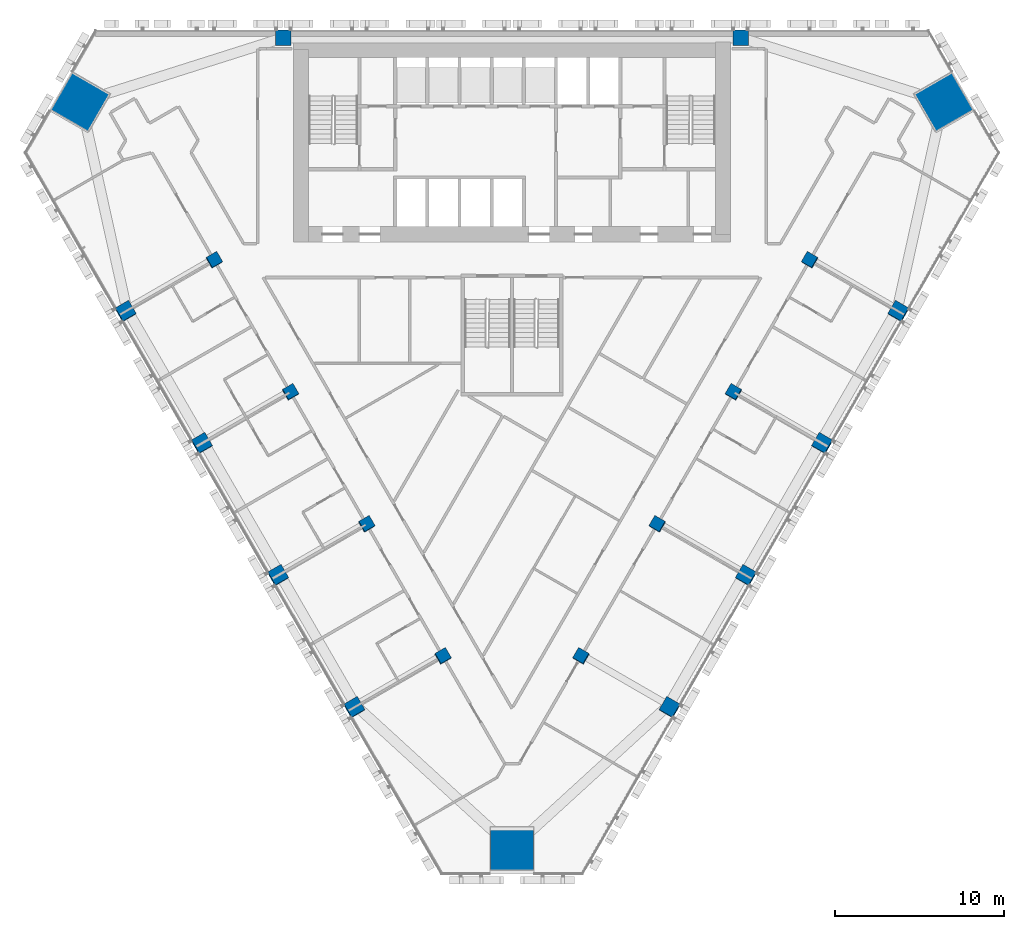
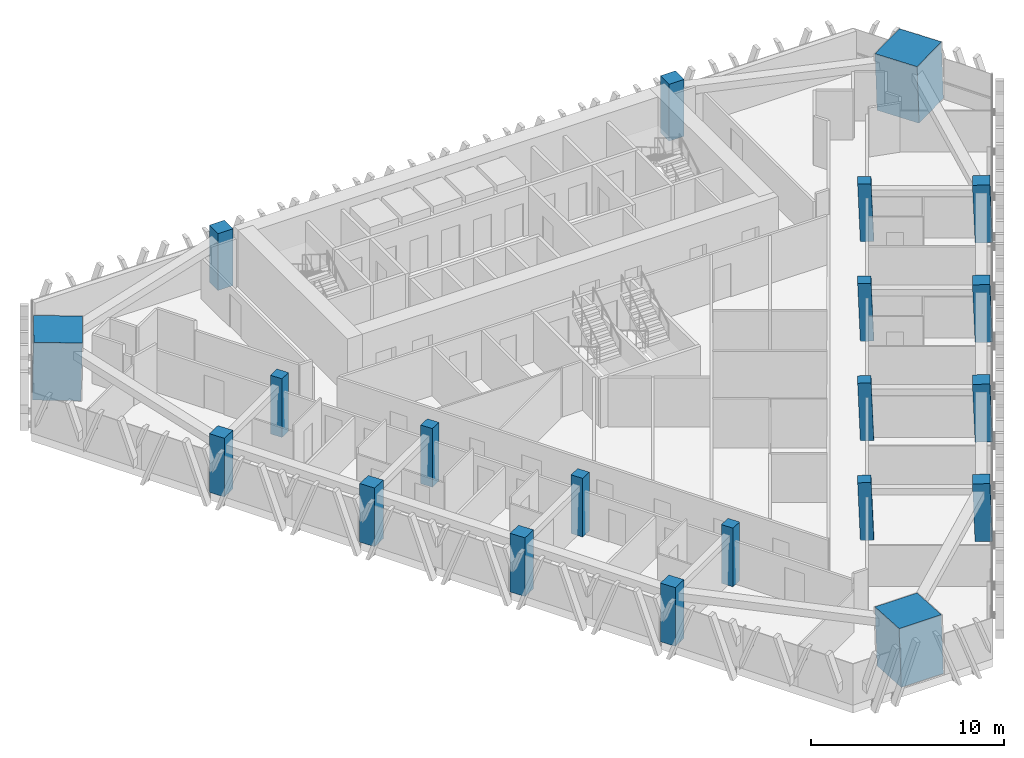
# One storey, part 1 of 16: 21 columns.
"""IFC4 building model written with IfcOpenShell, lengths in metres."""

from ifc_helpers import new_model, si_unit, direction, frame, origin, origin_2d, place, context, subcontext, project, spatial, rectangle, extrude, material, material_profile, profile_set, type_object, element, save


model = new_model("IFC4")

# Units and contexts
model_context = context("Model", 3, precision=1e-05, world=origin(), true_north=direction((0.0, 1.0)))
body_context = subcontext(model_context, "Body", "Model", "MODEL_VIEW")
ifc_project = project(units=[si_unit("LENGTHUNIT", "METRE"), si_unit("AREAUNIT", "SQUARE_METRE"), si_unit("VOLUMEUNIT", "CUBIC_METRE"), si_unit("PLANEANGLEUNIT", "RADIAN"), si_unit("MASSUNIT", "GRAM", prefix="KILO")], contexts=[model_context])

# Site, building, storey
site_placement = place(None, origin())
site = spatial("IfcSite", under=ifc_project, at=site_placement, CompositionType="ELEMENT")
building_placement = place(site_placement, origin())
building = spatial("IfcBuilding", under=site, at=building_placement, Name="Altiplano Prism Tower", CompositionType="ELEMENT")
storey_placement = place(building_placement, frame((0.0, 0.0, 104.39990234375)))
storey = spatial("IfcBuildingStorey", under=building, at=storey_placement, Name="L26", CompositionType="ELEMENT", Elevation=104.39990234375)

# Columns
ifc_material_1 = material(Name="Concrete C60/75", Category="concrete")
ifc_material_profile_1 = material_profile(ifc_material_1, rectangle(XDim=0.699951171875, YDim=0.699951171875, at=origin_2d()), Name="Inner column 700")
ifc_profile_set_1 = profile_set([ifc_material_profile_1], Name="Concrete C60/75")
column_type_1 = type_object("IfcColumnType", Name="Inner column 700", PredefinedType="COLUMN", material=ifc_profile_set_1)
for number, where, z_axis, x_axis, name in (
    (1, (67.411865234375, 91.419189453125, -0.021240234375), (0.02222134892, 0.038480872521, 0.999012229206), (-0.865639418776, -0.499186807044, 0.038482831667), "Inner column I11 L26"),
    (2, (71.911865234375, 83.625, -0.021240234375), (0.02222134892, 0.038480872521, 0.999012229206), (-0.865636721289, -0.499191475489, 0.038482951489), "Inner column I12 L26"),
    (3, (76.411865234375, 75.830810546875, -0.021240234375), (0.022221406801, 0.038413224561, 0.999014831351), (-0.866021388936, -0.498527757451, 0.038432134412), "Inner column I13 L26"),
    (4, (80.911865234375, 68.03662109375, -0.021240234375), (0.022221406801, 0.038413224561, 0.999014831351), (-0.866021388936, -0.498527757451, 0.038432134412), "Inner column I14 L26"),
    (5, (89.088134765625, 68.03662109375, -0.021240234375), (-0.022221406801, 0.038413224561, 0.999014831351), (-0.499512925744, -0.866022227907, 0.022188685988), "Inner column I21 L26"),
    (6, (93.588134765625, 75.830810546875, -0.021240234375), (-0.022221406801, 0.038413224561, 0.999014831351), (-0.499512925744, -0.866022227907, 0.022188685988), "Inner column I22 L26"),
    (7, (98.088134765625, 83.625, -0.021240234375), (-0.02222134892, 0.038480872521, 0.999012229206), (-0.50017924628, -0.865636813709, 0.022217748366), "Inner column I23 L26"),
    (8, (102.588134765625, 91.419189453125, -0.021240234375), (-0.02222134892, 0.038480872521, 0.999012229206), (-0.50017924628, -0.865636813709, 0.022217748366), "Inner column I24 L26"),
):
    element("IfcColumn", number, at=place(storey_placement, frame(where, z_axis=z_axis, x_axis=x_axis)), inside=storey, type_object=column_type_1, Name=name, PredefinedType="COLUMN", context=body_context, shape_type="SweptSolid", body=[
        extrude(rectangle(XDim=0.699951171875, YDim=0.699951171875, at=origin_2d()), origin(), (0.0, 0.0, 1.0), 3.603759765625),
    ])
ifc_material_2 = material(Name="Concrete C70/85", Category="concrete")
ifc_material_profile_2 = material_profile(ifc_material_2, rectangle(XDim=2.52001953125, YDim=2.52001953125, at=origin_2d()), Name="Mega column infill 2600")
ifc_profile_set_2 = profile_set([ifc_material_profile_2], Name="Concrete C70/85")
column_type_2 = type_object("IfcColumnType", Name="Mega column infill 2600", PredefinedType="COLUMN", material=ifc_profile_set_2)
column_1_placement = place(storey_placement, frame((59.451171875, 100.736328125, 0.0), z_axis=(0.028401796786, 0.009286506348, 0.999553449666), x_axis=(-0.86620189855, 0.499294816778, 0.019973905167)))
element("IfcColumn", 9, at=column_1_placement, inside=storey, type_object=column_type_2, Name="Mega column M0 L26", PredefinedType="COLUMN", context=body_context, shape_type="SweptSolid", body=[
    extrude(rectangle(XDim=2.52001953125, YDim=2.52001953125, at=origin_2d()), origin(), (0.0, 0.0, 1.0), 3.601806640625),
])
column_2_placement = place(storey_placement, frame((85.0, 56.484619140625, 0.0), z_axis=(0.0, 0.058356907999, 0.998295783467), x_axis=(-1.0, 0.0, 0.0)))
element("IfcColumn", 10, at=column_2_placement, inside=storey, type_object=column_type_2, Name="Mega column M1 L26", PredefinedType="COLUMN", context=body_context, shape_type="SweptSolid", body=[
    extrude(rectangle(XDim=2.52001953125, YDim=2.52001953125, at=origin_2d()), origin(), (0.0, 0.0, 1.0), 3.606201171875),
])
column_3_placement = place(storey_placement, frame((110.548828125, 100.736328125, 0.0), z_axis=(-0.028401796786, 0.009286506348, 0.999553449666), x_axis=(0.498886368713, -0.866382390598, 0.022224859352)))
element("IfcColumn", 11, at=column_3_placement, inside=storey, type_object=column_type_2, Name="Mega column M2 L26", PredefinedType="COLUMN", context=body_context, shape_type="SweptSolid", body=[
    extrude(rectangle(XDim=2.52001953125, YDim=2.52001953125, at=origin_2d()), origin(), (0.0, 0.0, 1.0), 3.601806640625),
])
ifc_material_profile_3 = material_profile(ifc_material_1, rectangle(XDim=0.89990234375, YDim=0.89990234375, at=origin_2d()), Name="Perimeter column 900")
ifc_profile_set_3 = profile_set([ifc_material_profile_3], Name="Concrete C60/75")
column_type_3 = type_object("IfcColumnType", Name="Perimeter column 900", PredefinedType="COLUMN", material=ifc_profile_set_3)
for number, where, z_axis, x_axis, name in (
    (12, (98.5, 104.550048828125, 0.0), (0.0, 0.0, 1.0), (1.0, 0.0, 0.0), "Perimeter column P01 L26"),
    (13, (71.5, 104.550048828125, 0.0), (0.0, 0.0, 1.0), (1.0, 0.0, 0.0), "Perimeter column P04 L26"),
):
    element("IfcColumn", number, at=place(storey_placement, frame(where, z_axis=z_axis, x_axis=x_axis)), inside=storey, type_object=column_type_3, Name=name, PredefinedType="COLUMN", context=body_context, shape_type="SweptSolid", body=[
        extrude(rectangle(XDim=0.89990234375, YDim=0.89990234375, at=origin_2d()), origin(), (0.0, 0.0, 1.0), 3.60009765625),
    ])
for number, where, z_axis, x_axis, name in (
    (14, (62.17236328125, 88.39404296875, -0.027099609375), (0.022222910879, 0.038415824599, 0.999014697916), (-0.866018645871, -0.498532312818, 0.038434855016), "Perimeter column P11 L26"),
    (15, (66.67236328125, 80.599853515625, -0.027099609375), (0.022222910879, 0.038415824599, 0.999014697916), (-0.866018645871, -0.498532312818, 0.038434855016), "Perimeter column P12 L26"),
    (16, (71.17236328125, 72.8056640625, -0.027099609375), (0.022222910879, 0.038415824599, 0.999014697916), (-0.866021331072, -0.498527657424, 0.038434735731), "Perimeter column P13 L26"),
    (17, (75.67236328125, 65.01123046875, -0.027099609375), (0.022222852987, 0.038483477124, 0.999012095419), (-0.865639360837, -0.499186706709, 0.038485436403), "Perimeter column P14 L26"),
    (18, (94.32763671875, 65.01123046875, -0.027099609375), (-0.022222852987, 0.038483477124, 0.999012095419), (-0.500174611287, -0.865639447942, 0.022219459744), "Perimeter column P21 L26"),
    (19, (98.82763671875, 72.8056640625, -0.027099609375), (-0.022222910879, 0.038415824599, 0.999014697916), (-0.499512959151, -0.866022170157, 0.022190187852), "Perimeter column P22 L26"),
    (20, (103.32763671875, 80.599853515625, -0.027099609375), (-0.022222910879, 0.038415824599, 0.999014697916), (-0.49951761454, -0.866019490252, 0.022189981241), "Perimeter column P23 L26"),
    (21, (107.82763671875, 88.39404296875, -0.027099609375), (-0.022222910879, 0.038415824599, 0.999014697916), (-0.49951761454, -0.866019490252, 0.022189981241), "Perimeter column P24 L26"),
):
    element("IfcColumn", number, at=place(storey_placement, frame(where, z_axis=z_axis, x_axis=x_axis)), inside=storey, type_object=column_type_3, Name=name, PredefinedType="COLUMN", context=body_context, shape_type="SweptSolid", body=[
        extrude(rectangle(XDim=0.89990234375, YDim=0.89990234375, at=origin_2d()), origin(), (0.0, 0.0, 1.0), 3.603515625),
    ])

save(model, "model.ifc")
